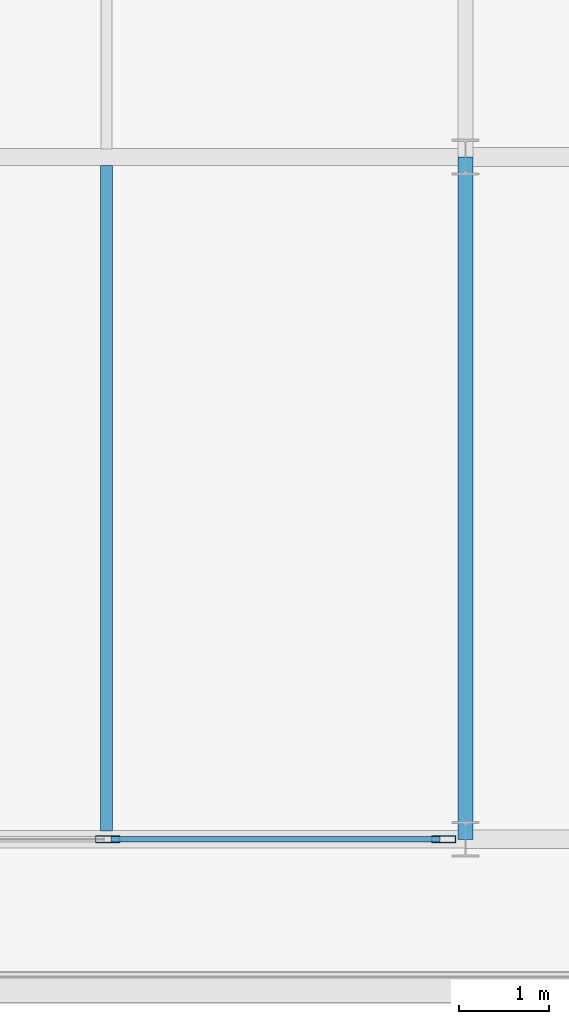
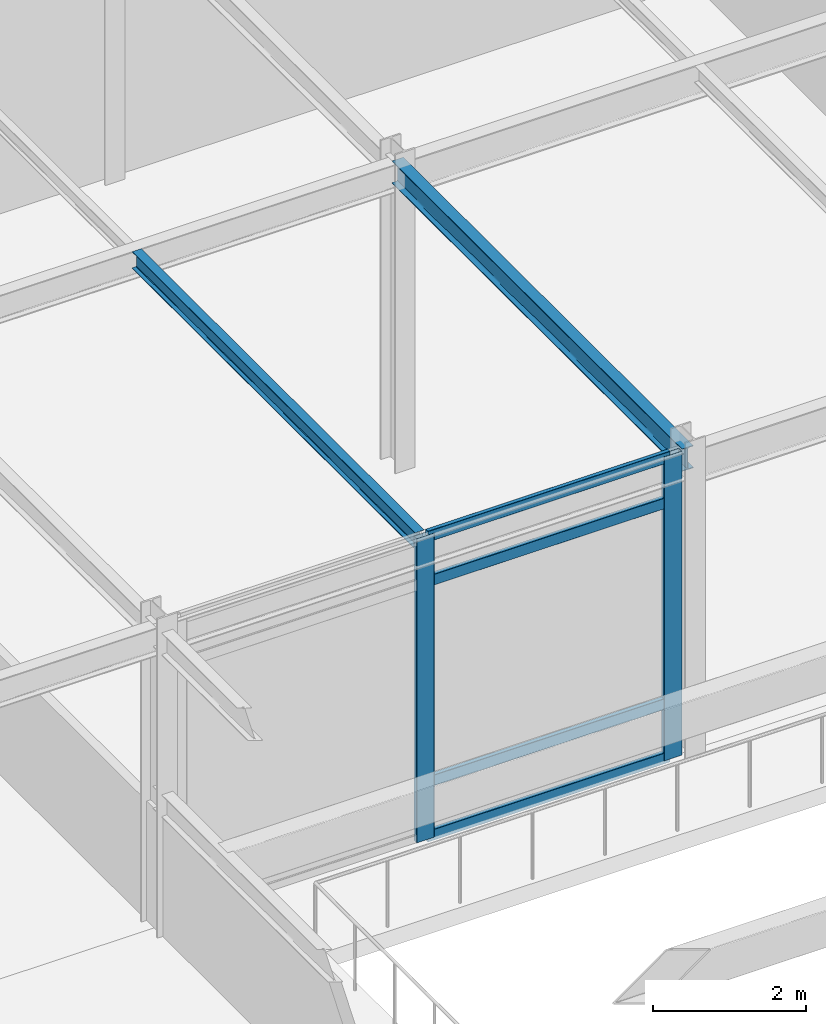
# One storey, part 34 of 113: 6 members, 2 beams, 1 element without a shape of its own.
"""IFC4 building model written with IfcOpenShell, lengths in metres."""

from ifc_helpers import new_model, si_unit, direction, frame, origin, origin_2d, place, context, subcontext, project, spatial, hollow_rectangle, i_section, extrude, material, layer, layer_set, material_profile, profile_set, type_object, element, aggregate, save


model = new_model("IFC4")

# Units and contexts
model_context = context("Model", 3, precision=1e-05, world=origin(), true_north=direction((0.0, 1.0)))
body_context = subcontext(model_context, "Body", "Model", "MODEL_VIEW")
ifc_project = project(units=[si_unit("LENGTHUNIT", "METRE"), si_unit("AREAUNIT", "SQUARE_METRE"), si_unit("VOLUMEUNIT", "CUBIC_METRE"), si_unit("PLANEANGLEUNIT", "RADIAN"), si_unit("MASSUNIT", "GRAM", prefix="KILO")], contexts=[model_context])

# Site, building, storey
site_placement = place(None, origin())
site = spatial("IfcSite", under=ifc_project, at=site_placement, CompositionType="ELEMENT")
building_placement = place(site_placement, origin())
building = spatial("IfcBuilding", under=site, at=building_placement, Name="Shalkamar Park Central Library", CompositionType="ELEMENT")
storey_placement = place(building_placement, frame((0.0, 0.0, 5.39990234375)))
storey = spatial("IfcBuildingStorey", under=building, at=storey_placement, Name="L02", CompositionType="ELEMENT", Elevation=5.39990234375)

# Beam
ifc_material_1 = material(Name="Steel S355", Category="steel")
ifc_material_profile_1 = material_profile(ifc_material_1, i_section(OverallWidth=0.135009765625, OverallDepth=0.27001953125, WebThickness=0.006591796875, FlangeThickness=0.01025390625, FilletRadius=0.014892578125, at=origin_2d()), Name="IPE 270")
ifc_profile_set_1 = profile_set([ifc_material_profile_1], Name="Steel S355")
beam_type_1 = type_object("IfcBeamType", Name="Composite Floor Joist IPE270", PredefinedType="JOIST", material=ifc_profile_set_1)
beam_1_placement = place(storey_placement, frame((233.0, 293.29296875, 4.72509765625), z_axis=(0.0, 1.0, 0.0), x_axis=(-1.0, 0.0, 0.0)))
element("IfcBeam", 1, at=beam_1_placement, inside=storey, type_object=beam_type_1, Name="Composite Joist 15/H-1 (L02)", PredefinedType="JOIST", context=body_context, shape_type="SweptSolid", body=[
    extrude(i_section(OverallWidth=0.135009765625, OverallDepth=0.27001953125, WebThickness=0.006591796875, FlangeThickness=0.01025390625, FilletRadius=0.014892578125, at=origin_2d()), origin(), (0.0, 0.0, 1.0), 7.4140625),
])

# Curtain wall, members
ifc_material_2 = material(Name="Thermally broken aluminium and triple low-e curtain wall", Category="aluminium")
ifc_layer = layer(ifc_material_2, 0.27001953125)
ifc_layer_set = layer_set([ifc_layer], Name="AtriumGlazedScreen_118")
curtain_wall_type = type_object("IfcCurtainWallType", Name="Atrium Glazed Screen 118", PredefinedType="USERDEFINED", material=ifc_layer_set)
curtain_wall_placement = place(storey_placement, origin())
curtain_wall = element("IfcCurtainWall", 2, at=curtain_wall_placement, inside=storey, type_object=curtain_wall_type, Name="Atrium Glazed Screen CW-L02-175", ObjectType="ATRIUM GLAZED SCREEN", PredefinedType="USERDEFINED")
ifc_material_3 = material(Name="Aluminium 6060-T66", Category="aluminium")
ifc_material_profile_2 = material_profile(ifc_material_3, hollow_rectangle(XDim=0.080078125, YDim=0.27001953125, WallThickness=0.0048828125, InnerFilletRadius=0.0048828125, OuterFilletRadius=0.007568359375, at=origin_2d()), Name="ALU 80x270x5")
ifc_profile_set_2 = profile_set([ifc_material_profile_2], Name="Aluminium 6060-T66")
member_type_1 = type_object("IfcMemberType", Name="Curtain Wall Mullion ALU80x270", PredefinedType="MULLION", material=ifc_profile_set_2)
member_1_placement = place(storey_placement, frame((233.012451171875, 293.199951171875, 0.0), z_axis=(0.0, 0.0, 1.0), x_axis=(0.0, 1.0, 0.0)))
member_1 = element("IfcMember", 3, at=member_1_placement, type_object=member_type_1, Name="CW-118 mullion 2", PredefinedType="MULLION", context=body_context, shape_type="SweptSolid", body=[
    extrude(hollow_rectangle(XDim=0.080078125, YDim=0.27001953125, WallThickness=0.0048828125, InnerFilletRadius=0.0048828125, OuterFilletRadius=0.007568359375, at=origin_2d()), origin(), (0.0, 0.0, 1.0), 4.860107421875),
])
member_2_placement = place(storey_placement, frame((236.756103515625, 293.199951171875, 0.0), z_axis=(0.0, 0.0, 1.0), x_axis=(0.0, 1.0, 0.0)))
member_2 = element("IfcMember", 4, at=member_2_placement, type_object=member_type_1, Name="CW-118 mullion 3", PredefinedType="MULLION", context=body_context, shape_type="SweptSolid", body=[
    extrude(hollow_rectangle(XDim=0.080078125, YDim=0.27001953125, WallThickness=0.0048828125, InnerFilletRadius=0.0048828125, OuterFilletRadius=0.007568359375, at=origin_2d()), origin(), (0.0, 0.0, 1.0), 4.860107421875),
])
ifc_material_profile_3 = material_profile(ifc_material_3, hollow_rectangle(XDim=0.06494140625, YDim=0.175048828125, WallThickness=0.00439453125, InnerFilletRadius=0.00439453125, OuterFilletRadius=0.0068359375, at=origin_2d()), Name="ALU 65x175x4.5")
ifc_profile_set_3 = profile_set([ifc_material_profile_3], Name="Aluminium 6060-T66")
member_type_2 = type_object("IfcMemberType", Name="Curtain Wall Transom ALU65x175", PredefinedType="USERDEFINED", material=ifc_profile_set_3)
member_3_placement = place(storey_placement, frame((233.052490234375, 293.199951171875, 0.03271484375), z_axis=(1.0, 0.0, 0.0), x_axis=(0.0, 1.0, 0.0)))
member_3 = element("IfcMember", 5, at=member_3_placement, type_object=member_type_2, Name="CW-118 transom 2.1", ObjectType="TRANSOM", PredefinedType="USERDEFINED", context=body_context, shape_type="SweptSolid", body=[
    extrude(hollow_rectangle(XDim=0.06494140625, YDim=0.175048828125, WallThickness=0.00439453125, InnerFilletRadius=0.00439453125, OuterFilletRadius=0.0068359375, at=origin_2d()), origin(), (0.0, 0.0, 1.0), 3.66357421875),
])
member_4_placement = place(storey_placement, frame((233.052490234375, 293.199951171875, 0.900146484375), z_axis=(1.0, 0.0, 0.0), x_axis=(0.0, 1.0, 0.0)))
member_4 = element("IfcMember", 6, at=member_4_placement, type_object=member_type_2, Name="CW-118 transom 2.2", ObjectType="TRANSOM", PredefinedType="USERDEFINED", context=body_context, shape_type="SweptSolid", body=[
    extrude(hollow_rectangle(XDim=0.06494140625, YDim=0.175048828125, WallThickness=0.00439453125, InnerFilletRadius=0.00439453125, OuterFilletRadius=0.0068359375, at=origin_2d()), origin(), (0.0, 0.0, 1.0), 3.66357421875),
])
member_5_placement = place(storey_placement, frame((233.052490234375, 293.199951171875, 4.110107421875), z_axis=(1.0, 0.0, 0.0), x_axis=(0.0, 1.0, 0.0)))
member_5 = element("IfcMember", 7, at=member_5_placement, type_object=member_type_2, Name="CW-118 transom 2.3", ObjectType="TRANSOM", PredefinedType="USERDEFINED", context=body_context, shape_type="SweptSolid", body=[
    extrude(hollow_rectangle(XDim=0.06494140625, YDim=0.175048828125, WallThickness=0.00439453125, InnerFilletRadius=0.00439453125, OuterFilletRadius=0.0068359375, at=origin_2d()), origin(), (0.0, 0.0, 1.0), 3.66357421875),
])
member_6_placement = place(storey_placement, frame((233.052490234375, 293.199951171875, 4.82763671875), z_axis=(1.0, 0.0, 0.0), x_axis=(0.0, 1.0, 0.0)))
member_6 = element("IfcMember", 8, at=member_6_placement, type_object=member_type_2, Name="CW-118 transom 2.4", ObjectType="TRANSOM", PredefinedType="USERDEFINED", context=body_context, shape_type="SweptSolid", body=[
    extrude(hollow_rectangle(XDim=0.06494140625, YDim=0.175048828125, WallThickness=0.00439453125, InnerFilletRadius=0.00439453125, OuterFilletRadius=0.0068359375, at=origin_2d()), origin(), (0.0, 0.0, 1.0), 3.66357421875),
])
aggregate(curtain_wall, [member_1, member_2, member_3, member_4, member_5, member_6])

# Beam
ifc_material_profile_4 = material_profile(ifc_material_1, i_section(OverallWidth=0.169921875, OverallDepth=0.360107421875, WebThickness=0.008056640625, FlangeThickness=0.0126953125, FilletRadius=0.01806640625, at=origin_2d()), Name="IPE 360")
ifc_profile_set_4 = profile_set([ifc_material_profile_4], Name="Steel S355")
beam_type_2 = type_object("IfcBeamType", Name="Primary Girder IPE360", PredefinedType="BEAM", material=ifc_profile_set_4)
beam_2_placement = place(storey_placement, frame((237.0, 293.199951171875, 4.68017578125), z_axis=(0.0, 1.0, 0.0), x_axis=(-1.0, 0.0, 0.0)))
element("IfcBeam", 9, at=beam_2_placement, inside=storey, type_object=beam_type_2, Name="Beam 16:H-J (L02)", PredefinedType="BEAM", context=body_context, shape_type="SweptSolid", body=[
    extrude(i_section(OverallWidth=0.169921875, OverallDepth=0.360107421875, WebThickness=0.008056640625, FlangeThickness=0.0126953125, FilletRadius=0.01806640625, at=origin_2d()), origin(), (0.0, 0.0, 1.0), 7.60009765625),
])

save(model, "model.ifc")
